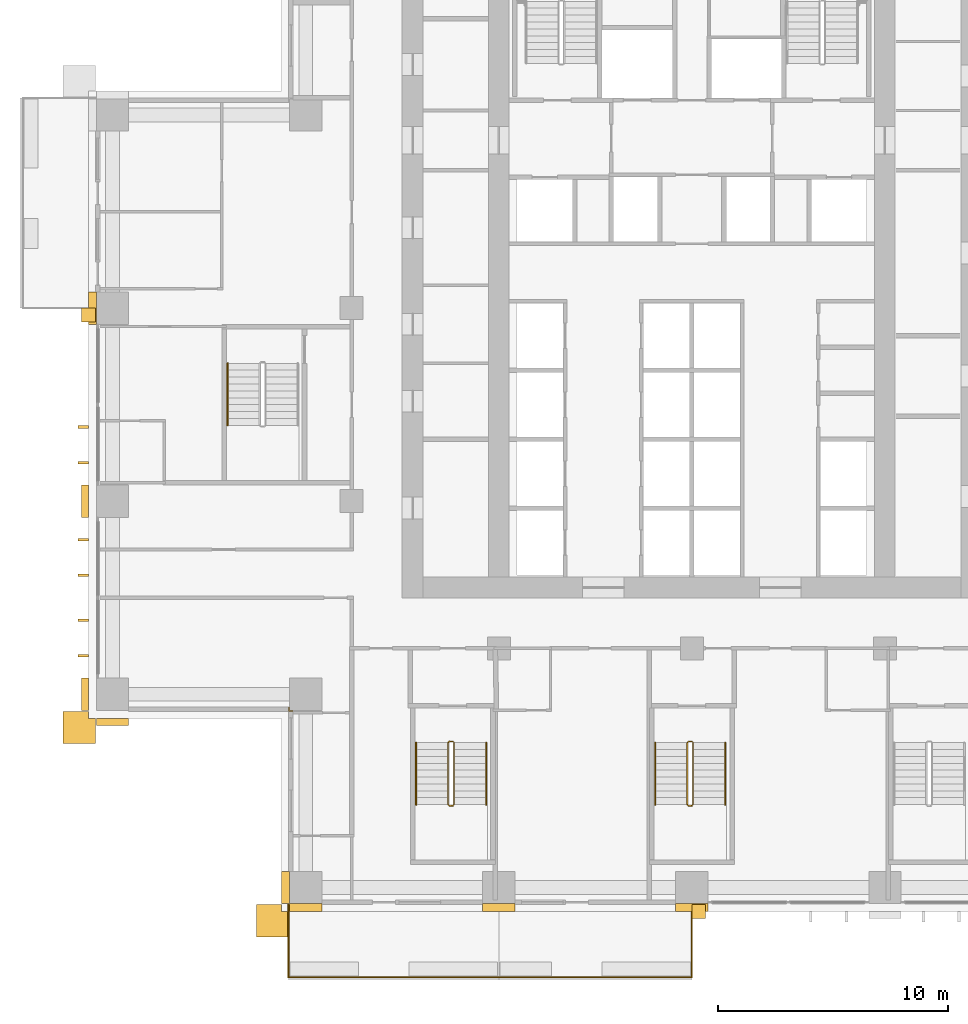
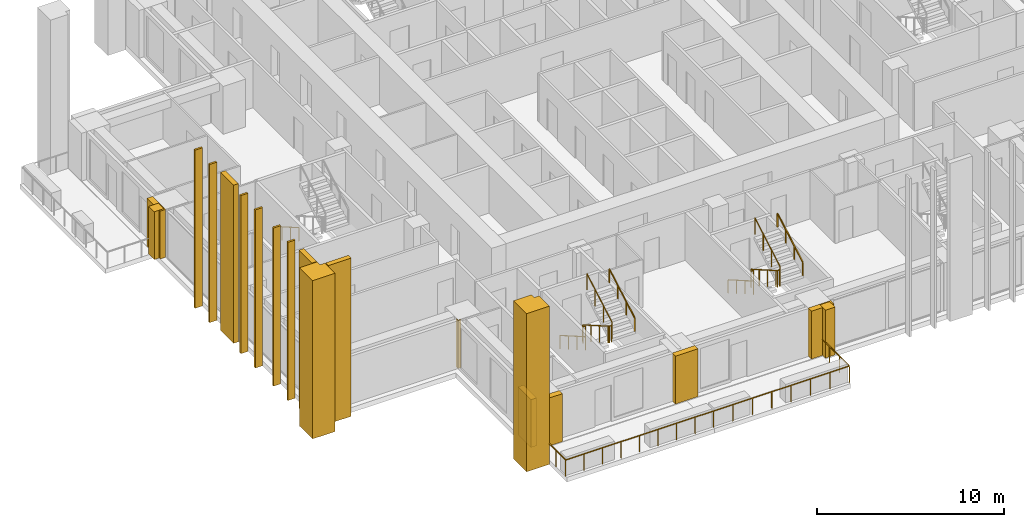
# One storey, part 13 of 17: 19 coverings, 9 railings.
"""IFC4 building model written with IfcOpenShell, lengths in metres."""

from ifc_helpers import new_model, si_unit, direction, frame, origin, origin_2d, place, context, subcontext, project, spatial, polyline, rectangle, outline, extrude, material, layer, layer_set, type_object, element, save


model = new_model("IFC4")

# Units and contexts
model_context = context("Model", 3, precision=1e-05, world=origin(), true_north=direction((0.0, 1.0)))
body_context = subcontext(model_context, "Body", "Model", "MODEL_VIEW")
ifc_project = project(units=[si_unit("LENGTHUNIT", "METRE"), si_unit("AREAUNIT", "SQUARE_METRE"), si_unit("VOLUMEUNIT", "CUBIC_METRE"), si_unit("PLANEANGLEUNIT", "RADIAN"), si_unit("MASSUNIT", "GRAM", prefix="KILO")], contexts=[model_context])

# Site, building, storey
site_placement = place(None, origin())
site = spatial("IfcSite", under=ifc_project, at=site_placement, CompositionType="ELEMENT")
building_placement = place(site_placement, origin())
building = spatial("IfcBuilding", under=site, at=building_placement, Name="Vermilion Ogive Tower", CompositionType="ELEMENT")
storey_placement = place(building_placement, frame((0.0, 0.0, 37.949951171875)))
storey = spatial("IfcBuildingStorey", under=building, at=storey_placement, Name="L07", CompositionType="ELEMENT", Elevation=37.949951171875)

# Railings
ifc_material_1 = material(Name="Stainless steel and glass", Category="steel")
railing_type_1 = type_object("IfcRailingType", Name="Balcony guard", PredefinedType="GUARDRAIL", material=ifc_material_1)
railing_1_placement = place(storey_placement, frame((-17.550048828125, -21.75, -0.0400390625)))
element("IfcRailing", 1, at=railing_1_placement, inside=storey, type_object=railing_type_1, Name="Guard S01", PredefinedType="GUARDRAIL", context=body_context, shape_type="SweptSolid", body=[
    extrude(rectangle(XDim=0.048095703125, YDim=0.048095703125, at=origin_2d()), frame((0.0, 0.0, 1.076171875), z_axis=(0.0, -1.0, 0.0), x_axis=(1.0, 0.0, 0.0)), (0.0, 0.0, 1.0), 3.159912109375),
    extrude(rectangle(XDim=0.048095703125, YDim=0.048095703125, at=origin_2d()), frame((0.0, -3.159912109375, 1.076171875), z_axis=(1.0, 0.0, 0.0), x_axis=(0.0, 1.0, 0.0)), (0.0, 0.0, 1.0), 9.150146484375),
    extrude(rectangle(XDim=0.0419921875, YDim=0.0419921875, at=origin_2d()), origin(), (0.0, 0.0, 1.0), 1.052001953125),
    extrude(rectangle(XDim=0.0419921875, YDim=0.0419921875, at=origin_2d()), frame((0.0, -1.05322265625, 0.0)), (0.0, 0.0, 1.0), 1.052001953125),
    extrude(rectangle(XDim=0.0419921875, YDim=0.0419921875, at=origin_2d()), frame((0.0, -2.106689453125, 0.0)), (0.0, 0.0, 1.0), 1.052001953125),
    extrude(rectangle(XDim=0.0419921875, YDim=0.0419921875, at=origin_2d()), frame((0.0, -3.159912109375, 0.0)), (0.0, 0.0, 1.0), 1.052001953125),
    extrude(rectangle(XDim=0.0419921875, YDim=0.0419921875, at=origin_2d()), frame((1.143798828125, -3.159912109375, 0.0)), (0.0, 0.0, 1.0), 1.052001953125),
    extrude(rectangle(XDim=0.0419921875, YDim=0.0419921875, at=origin_2d()), frame((2.28759765625, -3.159912109375, 0.0)), (0.0, 0.0, 1.0), 1.052001953125),
    extrude(rectangle(XDim=0.0419921875, YDim=0.0419921875, at=origin_2d()), frame((3.431396484375, -3.159912109375, 0.0)), (0.0, 0.0, 1.0), 1.052001953125),
    extrude(rectangle(XDim=0.0419921875, YDim=0.0419921875, at=origin_2d()), frame((4.5751953125, -3.159912109375, 0.0)), (0.0, 0.0, 1.0), 1.052001953125),
    extrude(rectangle(XDim=0.0419921875, YDim=0.0419921875, at=origin_2d()), frame((5.71875, -3.159912109375, 0.0)), (0.0, 0.0, 1.0), 1.052001953125),
    extrude(rectangle(XDim=0.0419921875, YDim=0.0419921875, at=origin_2d()), frame((6.862548828125, -3.159912109375, 0.0)), (0.0, 0.0, 1.0), 1.052001953125),
    extrude(rectangle(XDim=0.0419921875, YDim=0.0419921875, at=origin_2d()), frame((8.00634765625, -3.159912109375, 0.0)), (0.0, 0.0, 1.0), 1.052001953125),
    extrude(rectangle(XDim=0.0419921875, YDim=0.0419921875, at=origin_2d()), frame((9.150146484375, -3.159912109375, 0.0)), (0.0, 0.0, 1.0), 1.052001953125),
])
railing_2_placement = place(storey_placement, frame((-8.39990234375, -24.909912109375, -0.0400390625)))
element("IfcRailing", 2, at=railing_2_placement, inside=storey, type_object=railing_type_1, Name="Guard S02", PredefinedType="GUARDRAIL", context=body_context, shape_type="SweptSolid", body=[
    extrude(rectangle(XDim=0.048095703125, YDim=0.048095703125, at=origin_2d()), frame((0.0, 0.0, 1.076171875), z_axis=(1.0, 0.0, 0.0), x_axis=(0.0, 1.0, 0.0)), (0.0, 0.0, 1.0), 8.39990234375),
    extrude(rectangle(XDim=0.048095703125, YDim=0.048095703125, at=origin_2d()), frame((8.39990234375, 0.0, 1.076171875), z_axis=(0.0, 1.0, 0.0), x_axis=(-1.0, 0.0, 0.0)), (0.0, 0.0, 1.0), 3.159912109375),
    extrude(rectangle(XDim=0.0419921875, YDim=0.0419921875, at=origin_2d()), origin(), (0.0, 0.0, 1.0), 1.052001953125),
    extrude(rectangle(XDim=0.0419921875, YDim=0.0419921875, at=origin_2d()), frame((1.199951171875, 0.0, 0.0)), (0.0, 0.0, 1.0), 1.052001953125),
    extrude(rectangle(XDim=0.0419921875, YDim=0.0419921875, at=origin_2d()), frame((2.39990234375, 0.0, 0.0)), (0.0, 0.0, 1.0), 1.052001953125),
    extrude(rectangle(XDim=0.0419921875, YDim=0.0419921875, at=origin_2d()), frame((3.599853515625, 0.0, 0.0)), (0.0, 0.0, 1.0), 1.052001953125),
    extrude(rectangle(XDim=0.0419921875, YDim=0.0419921875, at=origin_2d()), frame((4.800048828125, 0.0, 0.0)), (0.0, 0.0, 1.0), 1.052001953125),
    extrude(rectangle(XDim=0.0419921875, YDim=0.0419921875, at=origin_2d()), frame((6.0, 0.0, 0.0)), (0.0, 0.0, 1.0), 1.052001953125),
    extrude(rectangle(XDim=0.0419921875, YDim=0.0419921875, at=origin_2d()), frame((7.199951171875, 0.0, 0.0)), (0.0, 0.0, 1.0), 1.052001953125),
    extrude(rectangle(XDim=0.0419921875, YDim=0.0419921875, at=origin_2d()), frame((8.39990234375, 0.0, 0.0)), (0.0, 0.0, 1.0), 1.052001953125),
    extrude(rectangle(XDim=0.0419921875, YDim=0.0419921875, at=origin_2d()), frame((8.39990234375, 1.05322265625, 0.0)), (0.0, 0.0, 1.0), 1.052001953125),
    extrude(rectangle(XDim=0.0419921875, YDim=0.0419921875, at=origin_2d()), frame((8.39990234375, 2.106689453125, 0.0)), (0.0, 0.0, 1.0), 1.052001953125),
    extrude(rectangle(XDim=0.0419921875, YDim=0.0419921875, at=origin_2d()), frame((8.39990234375, 3.159912109375, 0.0)), (0.0, 0.0, 1.0), 1.052001953125),
])

# Coverings
ifc_material_2 = material(Name="Glazed ceramic screen")
ifc_layer = layer(ifc_material_2, 0.14990234375)
ifc_layer_set = layer_set([ifc_layer], Name="Ceramic solar screen fin")
covering_type_1 = type_object("IfcCoveringType", Name="Ceramic solar screen fin", PredefinedType="CLADDING", material=ifc_layer_set)
covering_1_placement = place(storey_placement, frame((0.0, 0.0, -0.320068359375)))
element("IfcCovering", 3, at=covering_1_placement, inside=storey, type_object=covering_type_1, Name="Solar screen blade W991", PredefinedType="CLADDING", context=body_context, shape_type="SweptSolid", body=[
    extrude(outline(polyline([(-26.699951171875, -0.9150390625), (-26.699951171875, -1.034912109375), (-26.25, -1.034912109375), (-26.25, -0.9150390625), (-26.699951171875, -0.9150390625)])), origin(), (0.0, 0.0, 1.0), 10.35009765625),
])
covering_2_placement = place(storey_placement, frame((0.0, 0.0, -0.320068359375)))
element("IfcCovering", 4, at=covering_2_placement, inside=storey, type_object=covering_type_1, Name="Solar screen blade W992", PredefinedType="CLADDING", context=body_context, shape_type="SweptSolid", body=[
    extrude(outline(polyline([(-26.699951171875, -2.465087890625), (-26.699951171875, -2.5849609375), (-26.25, -2.5849609375), (-26.25, -2.465087890625), (-26.699951171875, -2.465087890625)])), origin(), (0.0, 0.0, 1.0), 10.35009765625),
])
covering_3_placement = place(storey_placement, frame((0.0, 0.0, -0.320068359375)))
element("IfcCovering", 5, at=covering_3_placement, inside=storey, type_object=covering_type_1, Name="Solar screen blade W971", PredefinedType="CLADDING", context=body_context, shape_type="SweptSolid", body=[
    extrude(outline(polyline([(-26.699951171875, -9.31494140625), (-26.699951171875, -9.43505859375), (-26.25, -9.43505859375), (-26.25, -9.31494140625), (-26.699951171875, -9.31494140625)])), origin(), (0.0, 0.0, 1.0), 10.35009765625),
])
covering_4_placement = place(storey_placement, frame((0.0, 0.0, -0.320068359375)))
element("IfcCovering", 6, at=covering_4_placement, inside=storey, type_object=covering_type_1, Name="Solar screen blade W972", PredefinedType="CLADDING", context=body_context, shape_type="SweptSolid", body=[
    extrude(outline(polyline([(-26.699951171875, -10.864990234375), (-26.699951171875, -10.985107421875), (-26.25, -10.985107421875), (-26.25, -10.864990234375), (-26.699951171875, -10.864990234375)])), origin(), (0.0, 0.0, 1.0), 10.35009765625),
])
covering_5_placement = place(storey_placement, frame((0.0, 0.0, -0.320068359375)))
element("IfcCovering", 7, at=covering_5_placement, inside=storey, type_object=covering_type_1, Name="Solar screen blade W981", PredefinedType="CLADDING", context=body_context, shape_type="SweptSolid", body=[
    extrude(outline(polyline([(-26.699951171875, -5.81494140625), (-26.699951171875, -5.93505859375), (-26.25, -5.93505859375), (-26.25, -5.81494140625), (-26.699951171875, -5.81494140625)])), origin(), (0.0, 0.0, 1.0), 10.35009765625),
])
covering_6_placement = place(storey_placement, frame((0.0, 0.0, -0.320068359375)))
element("IfcCovering", 8, at=covering_6_placement, inside=storey, type_object=covering_type_1, Name="Solar screen blade W982", PredefinedType="CLADDING", context=body_context, shape_type="SweptSolid", body=[
    extrude(outline(polyline([(-26.699951171875, -7.364990234375), (-26.699951171875, -7.485107421875), (-26.25, -7.485107421875), (-26.25, -7.364990234375), (-26.699951171875, -7.364990234375)])), origin(), (0.0, 0.0, 1.0), 10.35009765625),
])

# Railings
ifc_material_3 = material(Name="Steel S355 painted", Category="steel")
railing_type_2 = type_object("IfcRailingType", Name="Stair guard 1100", PredefinedType="GUARDRAIL", material=ifc_material_3)
railing_3_placement = place(storey_placement, frame((-10.39990234375, -14.64990234375, 0.0)))
element("IfcRailing", 9, at=railing_3_placement, inside=storey, type_object=railing_type_2, Name="L07 ST3 stair guard 4", PredefinedType="GUARDRAIL", context=body_context, shape_type="SweptSolid", body=[
    extrude(rectangle(XDim=0.048095703125, YDim=0.048095703125, at=origin_2d()), frame((0.0, 0.0, 1.076171875), z_axis=(-1.0, 0.0, 0.0), x_axis=(0.0, -1.0, 0.0)), (0.0, 0.0, 1.0), 0.150146484375),
    extrude(rectangle(XDim=0.048095703125, YDim=0.048095703125, at=origin_2d()), frame((-0.150146484375, 0.0, 1.076171875), z_axis=(-0.268277960024, -0.268277960024, 0.925231793839), x_axis=(0.707106781187, -0.707106781187, 0.0)), (0.0, 0.0, 1.0), 0.1865234375),
    extrude(rectangle(XDim=0.048095703125, YDim=0.048095703125, at=origin_2d()), frame((-0.2001953125, -0.050048828125, 1.24853515625), z_axis=(0.0, -0.866903762492, 0.498475542607), x_axis=(1.0, 0.0, 0.0)), (0.0, 0.0, 1.0), 3.114501953125),
    extrude(rectangle(XDim=0.048095703125, YDim=0.048095703125, at=origin_2d()), frame((-0.2001953125, -2.75, 2.80126953125), z_axis=(0.707106781187, -0.707106781187, 0.0), x_axis=(0.707106781187, 0.707106781187, 0.0)), (0.0, 0.0, 1.0), 0.07080078125),
    extrude(rectangle(XDim=0.048095703125, YDim=0.048095703125, at=origin_2d()), frame((-0.150146484375, -2.800048828125, 2.80126953125), z_axis=(1.0, 0.0, 0.0), x_axis=(0.0, 1.0, 0.0)), (0.0, 0.0, 1.0), 0.150146484375),
    extrude(rectangle(XDim=0.048095703125, YDim=0.048095703125, at=origin_2d()), frame((0.0, -2.800048828125, 2.80126953125), z_axis=(0.267386790225, 0.268697509785, 0.925368009307), x_axis=(-0.708833529934, 0.705375805398, 0.0)), (0.0, 0.0, 1.0), 0.186279296875),
    extrude(rectangle(XDim=0.048095703125, YDim=0.048095703125, at=origin_2d()), frame((0.0498046875, -2.75, 2.9736328125), z_axis=(0.0, 0.866903762492, 0.498475542607), x_axis=(-1.0, 0.0, 0.0)), (0.0, 0.0, 1.0), 3.114501953125),
    extrude(rectangle(XDim=0.0419921875, YDim=0.0419921875, at=origin_2d()), origin(), (0.0, 0.0, 1.0), 1.052001953125),
    extrude(rectangle(XDim=0.0419921875, YDim=0.0419921875, at=origin_2d()), frame((-0.150146484375, 0.0, 0.0)), (0.0, 0.0, 1.0), 1.052001953125),
    extrude(rectangle(XDim=0.0419921875, YDim=0.0419921875, at=origin_2d()), frame((-0.2001953125, -0.050048828125, 0.172607421875)), (0.0, 0.0, 1.0), 1.052001953125),
    extrude(rectangle(XDim=0.0419921875, YDim=0.0419921875, at=origin_2d()), frame((-0.2001953125, -0.949951171875, 0.690185546875)), (0.0, 0.0, 1.0), 1.052001953125),
    extrude(rectangle(XDim=0.0419921875, YDim=0.0419921875, at=origin_2d()), frame((-0.2001953125, -1.85009765625, 1.20751953125)), (0.0, 0.0, 1.0), 1.052001953125),
    extrude(rectangle(XDim=0.0419921875, YDim=0.0419921875, at=origin_2d()), frame((-0.2001953125, -2.75, 1.72509765625)), (0.0, 0.0, 1.0), 1.052001953125),
    extrude(rectangle(XDim=0.0419921875, YDim=0.0419921875, at=origin_2d()), frame((-0.150146484375, -2.800048828125, 1.72509765625)), (0.0, 0.0, 1.0), 1.052001953125),
    extrude(rectangle(XDim=0.0419921875, YDim=0.0419921875, at=origin_2d()), frame((0.0, -2.800048828125, 1.72509765625)), (0.0, 0.0, 1.0), 1.052001953125),
    extrude(rectangle(XDim=0.0419921875, YDim=0.0419921875, at=origin_2d()), frame((0.0498046875, -2.75, 1.8974609375)), (0.0, 0.0, 1.0), 1.052001953125),
    extrude(rectangle(XDim=0.0419921875, YDim=0.0419921875, at=origin_2d()), frame((0.0498046875, -1.85009765625, 2.4150390625)), (0.0, 0.0, 1.0), 1.052001953125),
    extrude(rectangle(XDim=0.0419921875, YDim=0.0419921875, at=origin_2d()), frame((0.0498046875, -0.949951171875, 2.932373046875)), (0.0, 0.0, 1.0), 1.052001953125),
    extrude(rectangle(XDim=0.0419921875, YDim=0.0419921875, at=origin_2d()), frame((0.0498046875, -0.050048828125, 3.449951171875)), (0.0, 0.0, 1.0), 1.052001953125),
])
railing_4_placement = place(storey_placement, frame((0.0, -14.64990234375, 0.0)))
element("IfcRailing", 10, at=railing_4_placement, inside=storey, type_object=railing_type_2, Name="L07 ST4 stair guard 4", PredefinedType="GUARDRAIL", context=body_context, shape_type="SweptSolid", body=[
    extrude(rectangle(XDim=0.048095703125, YDim=0.048095703125, at=origin_2d()), frame((0.0, 0.0, 1.076171875), z_axis=(-1.0, 0.0, 0.0), x_axis=(0.0, -1.0, 0.0)), (0.0, 0.0, 1.0), 0.14990234375),
    extrude(rectangle(XDim=0.048095703125, YDim=0.048095703125, at=origin_2d()), frame((-0.14990234375, 0.0, 1.076171875), z_axis=(-0.268277960024, -0.268277960024, 0.925231793839), x_axis=(0.707106781187, -0.707106781187, 0.0)), (0.0, 0.0, 1.0), 0.1865234375),
    extrude(rectangle(XDim=0.048095703125, YDim=0.048095703125, at=origin_2d()), frame((-0.199951171875, -0.050048828125, 1.24853515625), z_axis=(0.0, -0.866903762492, 0.498475542607), x_axis=(1.0, 0.0, 0.0)), (0.0, 0.0, 1.0), 3.114501953125),
    extrude(rectangle(XDim=0.048095703125, YDim=0.048095703125, at=origin_2d()), frame((-0.199951171875, -2.75, 2.80126953125), z_axis=(0.707106781187, -0.707106781187, 0.0), x_axis=(0.707106781187, 0.707106781187, 0.0)), (0.0, 0.0, 1.0), 0.07080078125),
    extrude(rectangle(XDim=0.048095703125, YDim=0.048095703125, at=origin_2d()), frame((-0.14990234375, -2.800048828125, 2.80126953125), z_axis=(1.0, 0.0, 0.0), x_axis=(0.0, 1.0, 0.0)), (0.0, 0.0, 1.0), 0.14990234375),
    extrude(rectangle(XDim=0.048095703125, YDim=0.048095703125, at=origin_2d()), frame((0.0, -2.800048828125, 2.80126953125), z_axis=(0.268603158521, 0.268603158521, 0.925043072762), x_axis=(-0.707106781187, 0.707106781187, 0.0)), (0.0, 0.0, 1.0), 0.186279296875),
    extrude(rectangle(XDim=0.048095703125, YDim=0.048095703125, at=origin_2d()), frame((0.050048828125, -2.75, 2.9736328125), z_axis=(0.0, 0.866903762492, 0.498475542607), x_axis=(-1.0, 0.0, 0.0)), (0.0, 0.0, 1.0), 3.114501953125),
    extrude(rectangle(XDim=0.0419921875, YDim=0.0419921875, at=origin_2d()), origin(), (0.0, 0.0, 1.0), 1.052001953125),
    extrude(rectangle(XDim=0.0419921875, YDim=0.0419921875, at=origin_2d()), frame((-0.14990234375, 0.0, 0.0)), (0.0, 0.0, 1.0), 1.052001953125),
    extrude(rectangle(XDim=0.0419921875, YDim=0.0419921875, at=origin_2d()), frame((-0.199951171875, -0.050048828125, 0.172607421875)), (0.0, 0.0, 1.0), 1.052001953125),
    extrude(rectangle(XDim=0.0419921875, YDim=0.0419921875, at=origin_2d()), frame((-0.199951171875, -0.949951171875, 0.690185546875)), (0.0, 0.0, 1.0), 1.052001953125),
    extrude(rectangle(XDim=0.0419921875, YDim=0.0419921875, at=origin_2d()), frame((-0.199951171875, -1.85009765625, 1.20751953125)), (0.0, 0.0, 1.0), 1.052001953125),
    extrude(rectangle(XDim=0.0419921875, YDim=0.0419921875, at=origin_2d()), frame((-0.199951171875, -2.75, 1.72509765625)), (0.0, 0.0, 1.0), 1.052001953125),
    extrude(rectangle(XDim=0.0419921875, YDim=0.0419921875, at=origin_2d()), frame((-0.14990234375, -2.800048828125, 1.72509765625)), (0.0, 0.0, 1.0), 1.052001953125),
    extrude(rectangle(XDim=0.0419921875, YDim=0.0419921875, at=origin_2d()), frame((0.0, -2.800048828125, 1.72509765625)), (0.0, 0.0, 1.0), 1.052001953125),
    extrude(rectangle(XDim=0.0419921875, YDim=0.0419921875, at=origin_2d()), frame((0.050048828125, -2.75, 1.8974609375)), (0.0, 0.0, 1.0), 1.052001953125),
    extrude(rectangle(XDim=0.0419921875, YDim=0.0419921875, at=origin_2d()), frame((0.050048828125, -1.85009765625, 2.4150390625)), (0.0, 0.0, 1.0), 1.052001953125),
    extrude(rectangle(XDim=0.0419921875, YDim=0.0419921875, at=origin_2d()), frame((0.050048828125, -0.949951171875, 2.932373046875)), (0.0, 0.0, 1.0), 1.052001953125),
    extrude(rectangle(XDim=0.0419921875, YDim=0.0419921875, at=origin_2d()), frame((0.050048828125, -0.050048828125, 3.449951171875)), (0.0, 0.0, 1.0), 1.052001953125),
])
ifc_material_4 = material(Name="Stainless steel", Category="steel")
railing_type_3 = type_object("IfcRailingType", Name="Stair handrail 900", PredefinedType="HANDRAIL", material=ifc_material_4)
railing_5_placement = place(storey_placement, frame((-12.0, -14.699951171875, 0.172607421875)))
element("IfcRailing", 11, at=railing_5_placement, inside=storey, type_object=railing_type_3, Name="L07 ST3 stair handrail 1", PredefinedType="HANDRAIL", context=body_context, shape_type="SweptSolid", body=[
    extrude(rectangle(XDim=0.048095703125, YDim=0.048095703125, at=origin_2d()), frame((0.0, 0.0, 0.8759765625), z_axis=(0.0, -0.866903762492, 0.498475542607), x_axis=(1.0, 0.0, 0.0)), (0.0, 0.0, 1.0), 3.114501953125),
    extrude(rectangle(XDim=0.0419921875, YDim=0.0419921875, at=origin_2d()), origin(), (0.0, 0.0, 1.0), 0.851806640625),
    extrude(rectangle(XDim=0.0419921875, YDim=0.0419921875, at=origin_2d()), frame((0.0, -0.89990234375, 0.517578125)), (0.0, 0.0, 1.0), 0.851806640625),
    extrude(rectangle(XDim=0.0419921875, YDim=0.0419921875, at=origin_2d()), frame((0.0, -1.800048828125, 1.034912109375)), (0.0, 0.0, 1.0), 0.851806640625),
    extrude(rectangle(XDim=0.0419921875, YDim=0.0419921875, at=origin_2d()), frame((0.0, -2.699951171875, 1.552490234375)), (0.0, 0.0, 1.0), 0.851806640625),
])
railing_6_placement = place(storey_placement, frame((-8.949951171875, -17.39990234375, 1.8974609375)))
element("IfcRailing", 12, at=railing_6_placement, inside=storey, type_object=railing_type_3, Name="L07 ST3 stair handrail 2", PredefinedType="HANDRAIL", context=body_context, shape_type="SweptSolid", body=[
    extrude(rectangle(XDim=0.048095703125, YDim=0.048095703125, at=origin_2d()), frame((0.0, 0.0, 0.8759765625), z_axis=(0.0, 0.866903762492, 0.498475542607), x_axis=(-1.0, 0.0, 0.0)), (0.0, 0.0, 1.0), 3.114501953125),
    extrude(rectangle(XDim=0.0419921875, YDim=0.0419921875, at=origin_2d()), origin(), (0.0, 0.0, 1.0), 0.851806640625),
    extrude(rectangle(XDim=0.0419921875, YDim=0.0419921875, at=origin_2d()), frame((0.0, 0.89990234375, 0.517578125)), (0.0, 0.0, 1.0), 0.851806640625),
    extrude(rectangle(XDim=0.0419921875, YDim=0.0419921875, at=origin_2d()), frame((0.0, 1.800048828125, 1.034912109375)), (0.0, 0.0, 1.0), 0.851806640625),
    extrude(rectangle(XDim=0.0419921875, YDim=0.0419921875, at=origin_2d()), frame((0.0, 2.699951171875, 1.552490234375)), (0.0, 0.0, 1.0), 0.851806640625),
])
railing_7_placement = place(storey_placement, frame((-1.60009765625, -14.699951171875, 0.172607421875)))
element("IfcRailing", 13, at=railing_7_placement, inside=storey, type_object=railing_type_3, Name="L07 ST4 stair handrail 1", PredefinedType="HANDRAIL", context=body_context, shape_type="SweptSolid", body=[
    extrude(rectangle(XDim=0.048095703125, YDim=0.048095703125, at=origin_2d()), frame((0.0, 0.0, 0.8759765625), z_axis=(0.0, -0.866903762492, 0.498475542607), x_axis=(1.0, 0.0, 0.0)), (0.0, 0.0, 1.0), 3.114501953125),
    extrude(rectangle(XDim=0.0419921875, YDim=0.0419921875, at=origin_2d()), origin(), (0.0, 0.0, 1.0), 0.851806640625),
    extrude(rectangle(XDim=0.0419921875, YDim=0.0419921875, at=origin_2d()), frame((0.0, -0.89990234375, 0.517578125)), (0.0, 0.0, 1.0), 0.851806640625),
    extrude(rectangle(XDim=0.0419921875, YDim=0.0419921875, at=origin_2d()), frame((0.0, -1.800048828125, 1.034912109375)), (0.0, 0.0, 1.0), 0.851806640625),
    extrude(rectangle(XDim=0.0419921875, YDim=0.0419921875, at=origin_2d()), frame((0.0, -2.699951171875, 1.552490234375)), (0.0, 0.0, 1.0), 0.851806640625),
])
railing_8_placement = place(storey_placement, frame((1.449951171875, -17.39990234375, 1.8974609375)))
element("IfcRailing", 14, at=railing_8_placement, inside=storey, type_object=railing_type_3, Name="L07 ST4 stair handrail 2", PredefinedType="HANDRAIL", context=body_context, shape_type="SweptSolid", body=[
    extrude(rectangle(XDim=0.048095703125, YDim=0.048095703125, at=origin_2d()), frame((0.0, 0.0, 0.8759765625), z_axis=(0.0, 0.866903762492, 0.498475542607), x_axis=(-1.0, 0.0, 0.0)), (0.0, 0.0, 1.0), 3.114501953125),
    extrude(rectangle(XDim=0.0419921875, YDim=0.0419921875, at=origin_2d()), origin(), (0.0, 0.0, 1.0), 0.851806640625),
    extrude(rectangle(XDim=0.0419921875, YDim=0.0419921875, at=origin_2d()), frame((0.0, 0.89990234375, 0.517578125)), (0.0, 0.0, 1.0), 0.851806640625),
    extrude(rectangle(XDim=0.0419921875, YDim=0.0419921875, at=origin_2d()), frame((0.0, 1.800048828125, 1.034912109375)), (0.0, 0.0, 1.0), 0.851806640625),
    extrude(rectangle(XDim=0.0419921875, YDim=0.0419921875, at=origin_2d()), frame((0.0, 2.699951171875, 1.552490234375)), (0.0, 0.0, 1.0), 0.851806640625),
])
railing_9_placement = place(storey_placement, frame((-20.199951171875, 1.800048828125, 0.172607421875)))
element("IfcRailing", 15, at=railing_9_placement, inside=storey, type_object=railing_type_3, Name="L07 ST9 stair handrail 1", PredefinedType="HANDRAIL", context=body_context, shape_type="SweptSolid", body=[
    extrude(rectangle(XDim=0.048095703125, YDim=0.048095703125, at=origin_2d()), frame((0.0, 0.0, 0.8759765625), z_axis=(0.0, -0.866903762492, 0.498475542607), x_axis=(1.0, 0.0, 0.0)), (0.0, 0.0, 1.0), 3.114501953125),
    extrude(rectangle(XDim=0.0419921875, YDim=0.0419921875, at=origin_2d()), origin(), (0.0, 0.0, 1.0), 0.851806640625),
    extrude(rectangle(XDim=0.0419921875, YDim=0.0419921875, at=origin_2d()), frame((0.0, -0.89990234375, 0.517578125)), (0.0, 0.0, 1.0), 0.851806640625),
    extrude(rectangle(XDim=0.0419921875, YDim=0.0419921875, at=origin_2d()), frame((0.0, -1.800048828125, 1.034912109375)), (0.0, 0.0, 1.0), 0.851806640625),
    extrude(rectangle(XDim=0.0419921875, YDim=0.0419921875, at=origin_2d()), frame((0.0, -2.699951171875, 1.552490234375)), (0.0, 0.0, 1.0), 0.851806640625),
])

# Coverings
ifc_material_5 = material(Name="Stone cladding", Category="masonry")
covering_type_2 = type_object("IfcCoveringType", Name="Stone corner buttress", PredefinedType="CLADDING", material=ifc_material_5)
covering_7_placement = place(storey_placement, origin())
element("IfcCovering", 16, at=covering_7_placement, inside=storey, type_object=covering_type_2, Name="Stone crease pier SK", PredefinedType="CLADDING", context=body_context, shape_type="SweptSolid", body=[
    extrude(outline(polyline([(0.0, -22.35009765625), (0.60009765625, -22.35009765625), (0.60009765625, -21.75), (0.0, -21.75), (0.0, -22.35009765625)])), origin(), (0.0, 0.0, 1.0), 3.130126953125),
])
covering_8_placement = place(storey_placement, origin())
element("IfcCovering", 17, at=covering_8_placement, inside=storey, type_object=covering_type_2, Name="Stone crease pier WK", PredefinedType="CLADDING", context=body_context, shape_type="SweptSolid", body=[
    extrude(outline(polyline([(-26.550048828125, 4.199951171875), (-26.550048828125, 3.60009765625), (-25.949951171875, 3.60009765625), (-25.949951171875, 4.199951171875), (-26.550048828125, 4.199951171875)])), origin(), (0.0, 0.0, 1.0), 3.130126953125),
])
covering_9_placement = place(storey_placement, frame((0.0, 0.0, -0.320068359375)))
element("IfcCovering", 18, at=covering_9_placement, inside=storey, type_object=covering_type_2, Name="Stone corner buttress S1", PredefinedType="CLADDING", context=body_context, shape_type="SweptSolid", body=[
    extrude(outline(polyline([(-17.85009765625, -22.050048828125), (-17.550048828125, -22.050048828125), (-17.550048828125, -23.14990234375), (-18.949951171875, -23.14990234375), (-18.949951171875, -21.75), (-17.85009765625, -21.75), (-17.85009765625, -22.050048828125)])), origin(), (0.0, 0.0, 1.0), 10.35009765625),
])
covering_10_placement = place(storey_placement, frame((0.0, 0.0, -0.320068359375)))
element("IfcCovering", 19, at=covering_10_placement, inside=storey, type_object=covering_type_2, Name="Stone corner buttress X71", PredefinedType="CLADDING", context=body_context, shape_type="SweptSolid", body=[
    extrude(outline(polyline([(-26.25, -13.35009765625), (-26.25, -13.64990234375), (-25.949951171875, -13.64990234375), (-25.949951171875, -14.75), (-27.35009765625, -14.75), (-27.35009765625, -13.35009765625), (-26.25, -13.35009765625)])), origin(), (0.0, 0.0, 1.0), 10.35009765625),
])
ifc_material_6 = material(Name="Stone cladding", Category="masonry")
covering_type_3 = type_object("IfcCoveringType", Name="Stone pier", PredefinedType="CLADDING", material=ifc_material_6)
covering_11_placement = place(storey_placement, origin())
element("IfcCovering", 20, at=covering_11_placement, inside=storey, type_object=covering_type_3, Name="Stone corner pier X7E1", PredefinedType="CLADDING", context=body_context, shape_type="SweptSolid", body=[
    extrude(outline(polyline([(-17.5, -13.14990234375), (-17.5, -13.300048828125), (-17.35009765625, -13.300048828125), (-17.35009765625, -13.35009765625), (-17.550048828125, -13.35009765625), (-17.550048828125, -13.14990234375), (-17.5, -13.14990234375)])), origin(), (0.0, 0.0, 1.0), 3.130126953125),
])
covering_12_placement = place(storey_placement, frame((0.0, 0.0, -0.320068359375)))
element("IfcCovering", 21, at=covering_12_placement, inside=storey, type_object=covering_type_3, Name="Stone pier P-0252-042", PredefinedType="CLADDING", context=body_context, shape_type="SweptSolid", body=[
    extrude(outline(polyline([(-26.550048828125, -4.89990234375), (-26.550048828125, -3.5), (-26.25, -3.5), (-26.25, -4.89990234375), (-26.550048828125, -4.89990234375)])), origin(), (0.0, 0.0, 1.0), 10.35009765625),
])
covering_13_placement = place(storey_placement, frame((0.0, 0.0, -0.320068359375)))
element("IfcCovering", 22, at=covering_13_placement, inside=storey, type_object=covering_type_3, Name="Stone pier P-0252-126W", PredefinedType="CLADDING", context=body_context, shape_type="SweptSolid", body=[
    extrude(outline(polyline([(-26.550048828125, -13.300048828125), (-26.550048828125, -11.89990234375), (-26.25, -11.89990234375), (-26.25, -13.300048828125), (-26.550048828125, -13.300048828125)])), origin(), (0.0, 0.0, 1.0), 10.35009765625),
])
covering_14_placement = place(storey_placement, frame((0.0, 0.0, -0.320068359375)))
element("IfcCovering", 23, at=covering_14_placement, inside=storey, type_object=covering_type_3, Name="Stone pier P-0252-126X7", PredefinedType="CLADDING", context=body_context, shape_type="SweptSolid", body=[
    extrude(outline(polyline([(-25.89990234375, -13.949951171875), (-25.89990234375, -13.64990234375), (-24.5, -13.64990234375), (-24.5, -13.949951171875), (-25.89990234375, -13.949951171875)])), origin(), (0.0, 0.0, 1.0), 10.35009765625),
])
covering_15_placement = place(storey_placement, origin())
element("IfcCovering", 24, at=covering_15_placement, inside=storey, type_object=covering_type_3, Name="Stone pier P+0000-210", PredefinedType="CLADDING", context=body_context, shape_type="SweptSolid", body=[
    extrude(outline(polyline([(0.699951171875, -22.050048828125), (0.60009765625, -22.050048828125), (0.60009765625, -21.75), (0.0, -21.75), (0.0, -22.050048828125), (-0.699951171875, -22.050048828125), (-0.699951171875, -21.699951171875), (0.699951171875, -21.699951171875), (0.699951171875, -22.050048828125)])), origin(), (0.0, 0.0, 1.0), 3.130126953125),
])
covering_16_placement = place(storey_placement, origin())
element("IfcCovering", 25, at=covering_16_placement, inside=storey, type_object=covering_type_3, Name="Stone pier P-0084-210", PredefinedType="CLADDING", context=body_context, shape_type="SweptSolid", body=[
    extrude(outline(polyline([(-7.699951171875, -22.050048828125), (-9.10009765625, -22.050048828125), (-9.10009765625, -21.699951171875), (-7.699951171875, -21.699951171875), (-7.699951171875, -22.050048828125)])), origin(), (0.0, 0.0, 1.0), 3.130126953125),
])
covering_17_placement = place(storey_placement, origin())
element("IfcCovering", 26, at=covering_17_placement, inside=storey, type_object=covering_type_3, Name="Stone pier P-0168-210S", PredefinedType="CLADDING", context=body_context, shape_type="SweptSolid", body=[
    extrude(outline(polyline([(-16.10009765625, -22.050048828125), (-17.5, -22.050048828125), (-17.5, -21.699951171875), (-16.10009765625, -21.699951171875), (-16.10009765625, -22.050048828125)])), origin(), (0.0, 0.0, 1.0), 3.130126953125),
])
covering_18_placement = place(storey_placement, origin())
element("IfcCovering", 27, at=covering_18_placement, inside=storey, type_object=covering_type_3, Name="Stone pier P-0168-210X8", PredefinedType="CLADDING", context=body_context, shape_type="SweptSolid", body=[
    extrude(outline(polyline([(-17.85009765625, -20.300048828125), (-17.5, -20.300048828125), (-17.5, -21.699951171875), (-17.85009765625, -21.699951171875), (-17.85009765625, -20.300048828125)])), origin(), (0.0, 0.0, 1.0), 3.130126953125),
])
covering_19_placement = place(storey_placement, origin())
element("IfcCovering", 28, at=covering_19_placement, inside=storey, type_object=covering_type_3, Name="Stone pier P-0252+042", PredefinedType="CLADDING", context=body_context, shape_type="SweptSolid", body=[
    extrude(outline(polyline([(-26.25, 3.5), (-26.25, 3.60009765625), (-25.949951171875, 3.60009765625), (-25.949951171875, 4.199951171875), (-26.25, 4.199951171875), (-26.25, 4.89990234375), (-25.89990234375, 4.89990234375), (-25.89990234375, 3.5), (-26.25, 3.5)])), origin(), (0.0, 0.0, 1.0), 3.130126953125),
])

save(model, "model.ifc")
